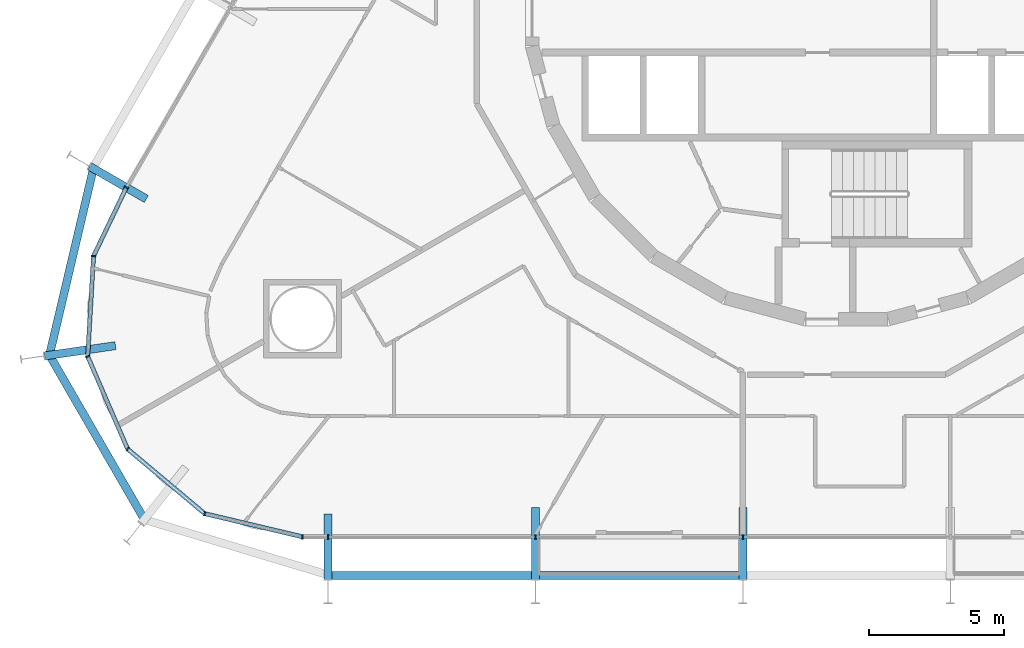
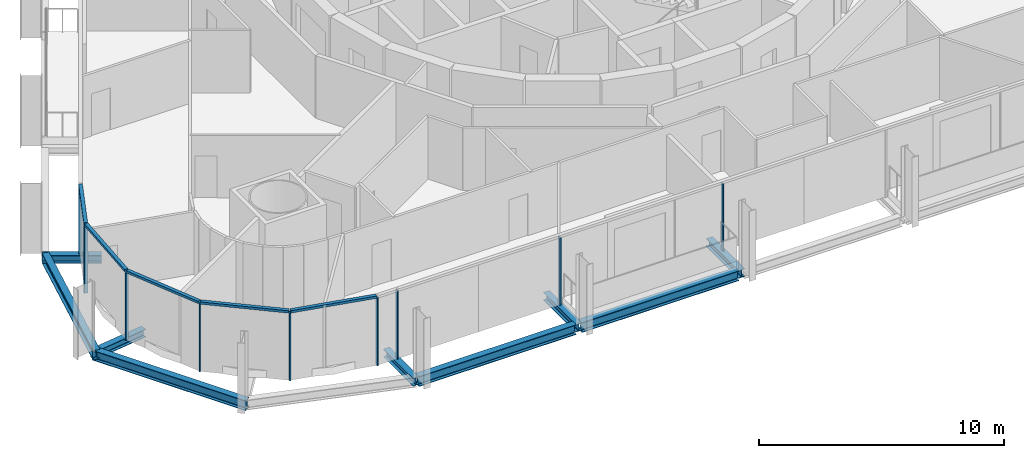
# One storey, part 3 of 19: 14 members, 9 beams, 2 elements without a shape of their own.
"""IFC4 building model written with IfcOpenShell, lengths in metres."""

from ifc_helpers import new_model, si_unit, direction, frame, origin, origin_2d, place, context, subcontext, project, spatial, rectangle, i_section, extrude, material, layer, layer_set, material_profile, profile_set, type_object, element, aggregate, save


model = new_model("IFC4")

# Units and contexts
model_context = context("Model", 3, precision=1e-05, world=origin(), true_north=direction((0.0, 1.0)))
body_context = subcontext(model_context, "Body", "Model", "MODEL_VIEW")
ifc_project = project(units=[si_unit("LENGTHUNIT", "METRE"), si_unit("AREAUNIT", "SQUARE_METRE"), si_unit("VOLUMEUNIT", "CUBIC_METRE"), si_unit("PLANEANGLEUNIT", "RADIAN"), si_unit("MASSUNIT", "GRAM", prefix="KILO")], contexts=[model_context])

# Site, building, storey
site_placement = place(None, origin())
site = spatial("IfcSite", under=ifc_project, at=site_placement, CompositionType="ELEMENT")
building_placement = place(site_placement, origin())
building = spatial("IfcBuilding", under=site, at=building_placement, Name="Spindle Arch Residences", CompositionType="ELEMENT")
storey_placement = place(building_placement, frame((0.0, 0.0, 45.39990234375)))
storey = spatial("IfcBuildingStorey", under=building, at=storey_placement, Name="L09", CompositionType="ELEMENT", Elevation=45.39990234375)

# Curtain wall, members
ifc_material_1 = material(Name="Aluminium bronze unitised frame with tinted glass", Category="aluminium")
ifc_layer_1 = layer(ifc_material_1, 0.159912109375)
ifc_layer_set_1 = layer_set([ifc_layer_1], Name="CW-D corner wall on the fillet arcs")
curtain_wall_type_1 = type_object("IfcCurtainWallType", Name="CW-D corner wall on the fillet arcs", PredefinedType="NOTDEFINED", material=ifc_layer_set_1)
curtain_wall_1_placement = place(storey_placement, origin())
curtain_wall_1 = element("IfcCurtainWall", 1, at=curtain_wall_1_placement, inside=storey, type_object=curtain_wall_type_1, Name="CW-D L09 run 5", PredefinedType="NOTDEFINED")
ifc_material_2 = material(Name="Aluminium bronze anodised mullion", Category="aluminium")
ifc_material_profile_1 = material_profile(ifc_material_2, rectangle(XDim=0.159912109375, YDim=0.06005859375, at=origin_2d()), Name="MU 60x160")
ifc_profile_set_1 = profile_set([ifc_material_profile_1], Name="Aluminium bronze anodised mullion")
member_type_1 = type_object("IfcMemberType", Name="Bronze mullion 60x160", PredefinedType="MULLION", material=ifc_profile_set_1)
member_1_placement = place(storey_placement, frame((-26.66943359375, -6.77294921875, -0.3798828125), z_axis=(0.0, 0.0, 1.0), x_axis=(0.902111889092, -0.431502189519, 0.0)))
member_1 = element("IfcMember", 2, at=member_1_placement, type_object=member_type_1, Name="CW-D mullion 00", PredefinedType="MULLION", context=body_context, shape_type="SweptSolid", body=[
    extrude(rectangle(XDim=0.159912109375, YDim=0.06005859375, at=origin_2d()), origin(), (0.0, 0.0, 1.0), 3.3798828125),
])
member_2_placement = place(storey_placement, frame((-27.884033203125, -9.3125, -0.3798828125), z_axis=(0.0, 0.0, 1.0), x_axis=(0.99830815821, -0.058144829968, 0.0)))
member_2 = element("IfcMember", 3, at=member_2_placement, type_object=member_type_1, Name="CW-D mullion 01", PredefinedType="MULLION", context=body_context, shape_type="SweptSolid", body=[
    extrude(rectangle(XDim=0.159912109375, YDim=0.06005859375, at=origin_2d()), origin(), (0.0, 0.0, 1.0), 3.3798828125),
])
member_3_placement = place(storey_placement, frame((-28.100830078125, -13.032958984375, -0.3798828125), z_axis=(0.0, 0.0, 1.0), x_axis=(0.918216106599, 0.396079766691, 0.0)))
member_3 = element("IfcMember", 4, at=member_3_placement, type_object=member_type_1, Name="CW-D mullion 02", PredefinedType="MULLION", context=body_context, shape_type="SweptSolid", body=[
    extrude(rectangle(XDim=0.159912109375, YDim=0.06005859375, at=origin_2d()), origin(), (0.0, 0.0, 1.0), 3.3798828125),
])
member_4_placement = place(storey_placement, frame((-26.624755859375, -16.454833984375, -0.3798828125), z_axis=(0.0, 0.0, 1.0), x_axis=(0.64278760716, 0.766044445239, 0.0)))
member_4 = element("IfcMember", 5, at=member_4_placement, type_object=member_type_1, Name="CW-D mullion 03", PredefinedType="MULLION", context=body_context, shape_type="SweptSolid", body=[
    extrude(rectangle(XDim=0.159912109375, YDim=0.06005859375, at=origin_2d()), origin(), (0.0, 0.0, 1.0), 3.3798828125),
])
member_5_placement = place(storey_placement, frame((-23.769775390625, -18.850341796875, -0.3798828125), z_axis=(0.0, 0.0, 1.0), x_axis=(0.230615868852, 0.973044871028, 0.0)))
member_5 = element("IfcMember", 6, at=member_5_placement, type_object=member_type_1, Name="CW-D mullion 04", PredefinedType="MULLION", context=body_context, shape_type="SweptSolid", body=[
    extrude(rectangle(XDim=0.159912109375, YDim=0.06005859375, at=origin_2d()), origin(), (0.0, 0.0, 1.0), 3.3798828125),
])
member_6_placement = place(storey_placement, frame((-20.1435546875, -19.7099609375, -0.3798828125), z_axis=(0.0, 0.0, 1.0), x_axis=(0.0, 1.0, 0.0)))
member_6 = element("IfcMember", 7, at=member_6_placement, type_object=member_type_1, Name="CW-D mullion 05", PredefinedType="MULLION", context=body_context, shape_type="SweptSolid", body=[
    extrude(rectangle(XDim=0.159912109375, YDim=0.06005859375, at=origin_2d()), origin(), (0.0, 0.0, 1.0), 3.3798828125),
])

ifc_material_3 = material(Name="Aluminium bronze unitised frame with tinted glass", Category="aluminium")
ifc_layer_2 = layer(ifc_material_3, 0.159912109375)
ifc_layer_set_2 = layer_set([ifc_layer_2], Name="CW-C typical residential unitised wall")
curtain_wall_type_2 = type_object("IfcCurtainWallType", Name="CW-C typical residential unitised wall", PredefinedType="NOTDEFINED", material=ifc_layer_set_2)
curtain_wall_2_placement = place(storey_placement, origin())
curtain_wall_2 = element("IfcCurtainWall", 8, at=curtain_wall_2_placement, inside=storey, type_object=curtain_wall_type_2, Name="CW-C L09 run 6", PredefinedType="NOTDEFINED")
member_7_placement = place(storey_placement, frame((-19.2001953125, -19.7099609375, -0.3798828125), z_axis=(0.0, 0.0, 1.0), x_axis=(0.0, 1.0, 0.0)))
member_7 = element("IfcMember", 9, at=member_7_placement, type_object=member_type_1, Name="CW-C mullion 21", PredefinedType="MULLION", context=body_context, shape_type="SweptSolid", body=[
    extrude(rectangle(XDim=0.159912109375, YDim=0.06005859375, at=origin_2d()), origin(), (0.0, 0.0, 1.0), 3.3798828125),
])
member_8_placement = place(storey_placement, frame((-11.52001953125, -19.7099609375, -0.3798828125), z_axis=(0.0, 0.0, 1.0), x_axis=(0.0, 1.0, 0.0)))
member_8 = element("IfcMember", 10, at=member_8_placement, type_object=member_type_1, Name="CW-C mullion 22", PredefinedType="MULLION", context=body_context, shape_type="SweptSolid", body=[
    extrude(rectangle(XDim=0.159912109375, YDim=0.06005859375, at=origin_2d()), origin(), (0.0, 0.0, 1.0), 3.3798828125),
])
member_9_placement = place(storey_placement, frame((-3.840087890625, -19.7099609375, -0.3798828125), z_axis=(0.0, 0.0, 1.0), x_axis=(0.0, 1.0, 0.0)))
member_9 = element("IfcMember", 11, at=member_9_placement, type_object=member_type_1, Name="CW-C mullion 23", PredefinedType="MULLION", context=body_context, shape_type="SweptSolid", body=[
    extrude(rectangle(XDim=0.159912109375, YDim=0.06005859375, at=origin_2d()), origin(), (0.0, 0.0, 1.0), 3.3798828125),
])
aggregate(curtain_wall_2, [member_7, member_8, member_9])

# Member
ifc_material_4 = material(Name="Aluminium bronze anodised transom", Category="aluminium")
ifc_material_profile_2 = material_profile(ifc_material_4, rectangle(XDim=0.159912109375, YDim=0.1201171875, at=origin_2d()), Name="TR 120x160")
ifc_profile_set_2 = profile_set([ifc_material_profile_2], Name="Aluminium bronze anodised transom")
member_type_2 = type_object("IfcMemberType", Name="Bronze transom 120x160", PredefinedType="USERDEFINED", material=ifc_profile_set_2)
member_10_placement = place(storey_placement, frame((-26.682373046875, -6.800048828125, 3.06005859375), z_axis=(-0.43147744699, -0.902123723631, 0.0), x_axis=(0.902123723631, -0.43147744699, 0.0)))
member_10 = element("IfcMember", 12, at=member_10_placement, type_object=member_type_2, Name="CW-D transom 00", ObjectType="TRANSOM", PredefinedType="USERDEFINED", context=body_context, shape_type="SweptSolid", body=[
    extrude(rectangle(XDim=0.159912109375, YDim=0.1201171875, at=origin_2d()), origin(), (0.0, 0.0, 1.0), 2.7548828125),
])

member_11_placement = place(storey_placement, frame((-27.885986328125, -9.342529296875, 3.06005859375), z_axis=(-0.058128716156, -0.998309096602, 0.0), x_axis=(0.998309096602, -0.058128716156, 0.0)))
member_11 = element("IfcMember", 13, at=member_11_placement, type_object=member_type_2, Name="CW-D transom 01", ObjectType="TRANSOM", PredefinedType="USERDEFINED", context=body_context, shape_type="SweptSolid", body=[
    extrude(rectangle(XDim=0.159912109375, YDim=0.1201171875, at=origin_2d()), origin(), (0.0, 0.0, 1.0), 3.66650390625),
])

member_12_placement = place(storey_placement, frame((-28.0888671875, -13.060546875, 3.06005859375), z_axis=(0.39603167212, -0.918236851078, 0.0), x_axis=(0.918236851078, 0.39603167212, 0.0)))
member_12 = element("IfcMember", 14, at=member_12_placement, type_object=member_type_2, Name="CW-D transom 02", ObjectType="TRANSOM", PredefinedType="USERDEFINED", context=body_context, shape_type="SweptSolid", body=[
    extrude(rectangle(XDim=0.159912109375, YDim=0.1201171875, at=origin_2d()), origin(), (0.0, 0.0, 1.0), 3.666748046875),
])

member_13_placement = place(storey_placement, frame((-26.601806640625, -16.47412109375, 3.06005859375), z_axis=(0.766006453075, -0.642832881741, 0.0), x_axis=(0.642832881741, 0.766006453075, 0.0)))
member_13 = element("IfcMember", 15, at=member_13_placement, type_object=member_type_2, Name="CW-D transom 03", ObjectType="TRANSOM", PredefinedType="USERDEFINED", context=body_context, shape_type="SweptSolid", body=[
    extrude(rectangle(XDim=0.159912109375, YDim=0.1201171875, at=origin_2d()), origin(), (0.0, 0.0, 1.0), 3.666748046875),
])

member_14_placement = place(storey_placement, frame((-23.74072265625, -18.857421875, 3.06005859375), z_axis=(0.973053560164, -0.230579203425, 0.0), x_axis=(0.230579203425, 0.973053560164, 0.0)))
member_14 = element("IfcMember", 16, at=member_14_placement, type_object=member_type_2, Name="CW-D transom 04", ObjectType="TRANSOM", PredefinedType="USERDEFINED", context=body_context, shape_type="SweptSolid", body=[
    extrude(rectangle(XDim=0.159912109375, YDim=0.1201171875, at=origin_2d()), origin(), (0.0, 0.0, 1.0), 3.666748046875),
])

aggregate(curtain_wall_1, [member_1, member_10, member_2, member_11, member_3, member_12, member_4, member_13, member_5, member_14, member_6])

# Beams
ifc_material_5 = material(Name="Steel S460ML, intumescent coating R 120", Category="steel")
ifc_material_profile_3 = material_profile(ifc_material_5, i_section(OverallWidth=0.300048828125, OverallDepth=0.5, WebThickness=0.014404296875, FlangeThickness=0.028076171875, FilletRadius=0.027099609375, at=origin_2d()), Name="HEB 500")
ifc_profile_set_3 = profile_set([ifc_material_profile_3], Name="Steel S460ML, intumescent coating R 120")
beam_type_1 = type_object("IfcBeamType", Name="Exoskeleton edge beam HEB 500", PredefinedType="BEAM", material=ifc_profile_set_3)
beam_1_placement = place(storey_placement, frame((-27.8720703125, -6.00048828125, -0.6298828125), z_axis=(-0.229185730541, -0.973382710406, 0.0), x_axis=(0.973382710406, -0.229185730541, 0.0)))
element("IfcBeam", 17, at=beam_1_placement, inside=storey, type_object=beam_type_1, Name="Exoskeleton edge beam 19", PredefinedType="BEAM", context=body_context, shape_type="SweptSolid", body=[
    extrude(i_section(OverallWidth=0.300048828125, OverallDepth=0.5, WebThickness=0.014404296875, FlangeThickness=0.028076171875, FilletRadius=0.027099609375, at=origin_2d()), origin(), (0.0, 0.0, 1.0), 7.25),
])
beam_2_placement = place(storey_placement, frame((-29.56640625, -12.892333984375, -0.6298828125), z_axis=(0.499999897272, -0.866025463095, 0.0), x_axis=(0.866025463095, 0.499999897272, 0.0)))
element("IfcBeam", 18, at=beam_2_placement, inside=storey, type_object=beam_type_1, Name="Exoskeleton edge beam 20", PredefinedType="BEAM", context=body_context, shape_type="SweptSolid", body=[
    extrude(i_section(OverallWidth=0.300048828125, OverallDepth=0.5, WebThickness=0.014404296875, FlangeThickness=0.028076171875, FilletRadius=0.027099609375, at=origin_2d()), origin(), (0.0, 0.0, 1.0), 7.236328125),
])
for number, where, z_axis, x_axis, name in (
    (19, (-19.0703125, -21.142822265625, -0.6298828125), (1.0, 0.0, 0.0), (0.0, 1.0, 0.0), "Exoskeleton edge beam 22"),
    (20, (-11.39013671875, -21.142822265625, -0.6298828125), (1.0, 0.0, 0.0), (0.0, 1.0, 0.0), "Exoskeleton edge beam 23"),
):
    element("IfcBeam", number, at=place(storey_placement, frame(where, z_axis=z_axis, x_axis=x_axis)), inside=storey, type_object=beam_type_1, Name=name, PredefinedType="BEAM", context=body_context, shape_type="SweptSolid", body=[
        extrude(i_section(OverallWidth=0.300048828125, OverallDepth=0.5, WebThickness=0.014404296875, FlangeThickness=0.028076171875, FilletRadius=0.027099609375, at=origin_2d()), origin(), (0.0, 0.0, 1.0), 7.420166015625),
    ])
ifc_material_6 = material(Name="Steel S460ML, intumescent coating R 120", Category="steel")
ifc_material_profile_4 = material_profile(ifc_material_6, i_section(OverallWidth=0.300048828125, OverallDepth=0.389892578125, WebThickness=0.010986328125, FlangeThickness=0.01904296875, FilletRadius=0.027099609375, at=origin_2d()), Name="HEA 400")
ifc_profile_set_4 = profile_set([ifc_material_profile_4], Name="Steel S460ML, intumescent coating R 120")
beam_type_2 = type_object("IfcBeamType", Name="Floor outrigger HEA 400", PredefinedType="BEAM", material=ifc_profile_set_4)
beam_3_placement = place(storey_placement, frame((-28.029052734375, -5.98779296875, -0.574951171875), z_axis=(0.866002732682, -0.500039265445, 0.0), x_axis=(0.500039265445, 0.866002732682, 0.0)))
element("IfcBeam", 21, at=beam_3_placement, inside=storey, type_object=beam_type_2, Name="Floor outrigger 19", PredefinedType="BEAM", context=body_context, shape_type="SweptSolid", body=[
    extrude(i_section(OverallWidth=0.300048828125, OverallDepth=0.389892578125, WebThickness=0.010986328125, FlangeThickness=0.01904296875, FilletRadius=0.027099609375, at=origin_2d()), origin(), (0.0, 0.0, 1.0), 2.423583984375),
])
beam_4_placement = place(storey_placement, frame((-29.694580078125, -13.009033203125, -0.574951171875), z_axis=(0.989738348309, 0.142891573883, 0.0), x_axis=(-0.142891573883, 0.989738348309, 0.0)))
element("IfcBeam", 22, at=beam_4_placement, inside=storey, type_object=beam_type_2, Name="Floor outrigger 20", PredefinedType="BEAM", context=body_context, shape_type="SweptSolid", body=[
    extrude(i_section(OverallWidth=0.300048828125, OverallDepth=0.389892578125, WebThickness=0.010986328125, FlangeThickness=0.01904296875, FilletRadius=0.027099609375, at=origin_2d()), origin(), (0.0, 0.0, 1.0), 2.64990234375),
])
beam_5_placement = place(storey_placement, frame((-19.2001953125, -21.27978515625, -0.574951171875), z_axis=(0.0, 1.0, 0.0), x_axis=(-1.0, 0.0, 0.0)))
element("IfcBeam", 23, at=beam_5_placement, inside=storey, type_object=beam_type_2, Name="Floor outrigger 22", PredefinedType="BEAM", context=body_context, shape_type="SweptSolid", body=[
    extrude(i_section(OverallWidth=0.300048828125, OverallDepth=0.389892578125, WebThickness=0.010986328125, FlangeThickness=0.01904296875, FilletRadius=0.027099609375, at=origin_2d()), origin(), (0.0, 0.0, 1.0), 2.42333984375),
])
for number, where, z_axis, x_axis, name in (
    (24, (-11.52001953125, -21.27978515625, -0.574951171875), (0.0, 1.0, 0.0), (-1.0, 0.0, 0.0), "Floor outrigger 23"),
    (25, (-3.840087890625, -21.27978515625, -0.574951171875), (0.0, 1.0, 0.0), (-1.0, 0.0, 0.0), "Floor outrigger 24"),
):
    element("IfcBeam", number, at=place(storey_placement, frame(where, z_axis=z_axis, x_axis=x_axis)), inside=storey, type_object=beam_type_2, Name=name, PredefinedType="BEAM", context=body_context, shape_type="SweptSolid", body=[
        extrude(i_section(OverallWidth=0.300048828125, OverallDepth=0.389892578125, WebThickness=0.010986328125, FlangeThickness=0.01904296875, FilletRadius=0.027099609375, at=origin_2d()), origin(), (0.0, 0.0, 1.0), 2.64990234375),
    ])

save(model, "model.ifc")
